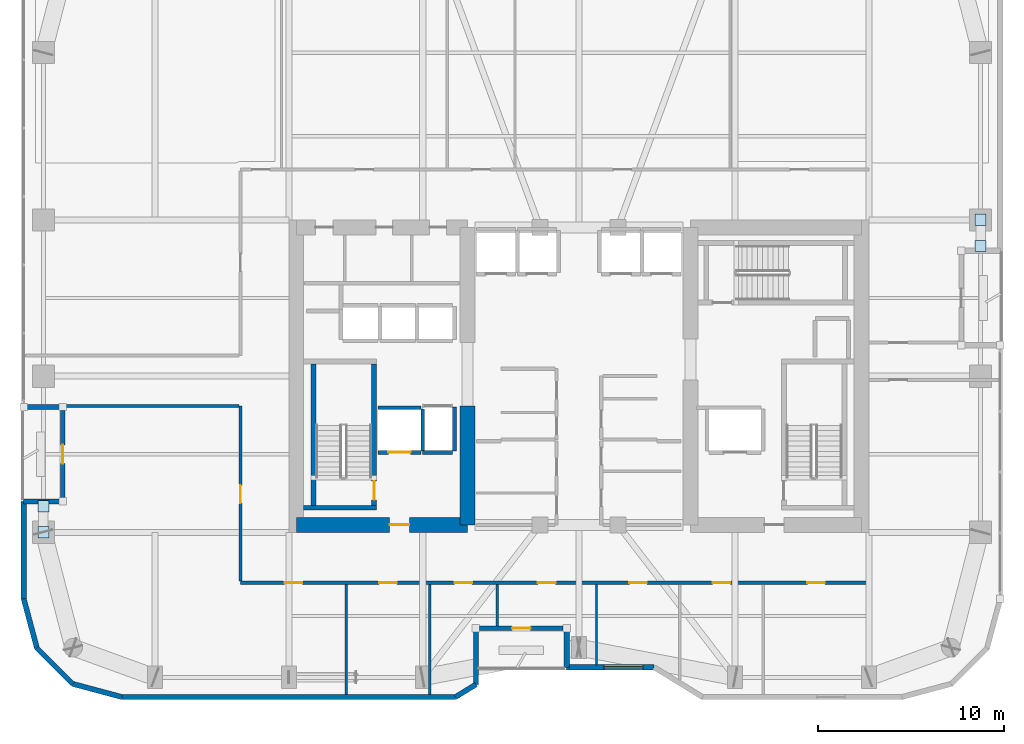
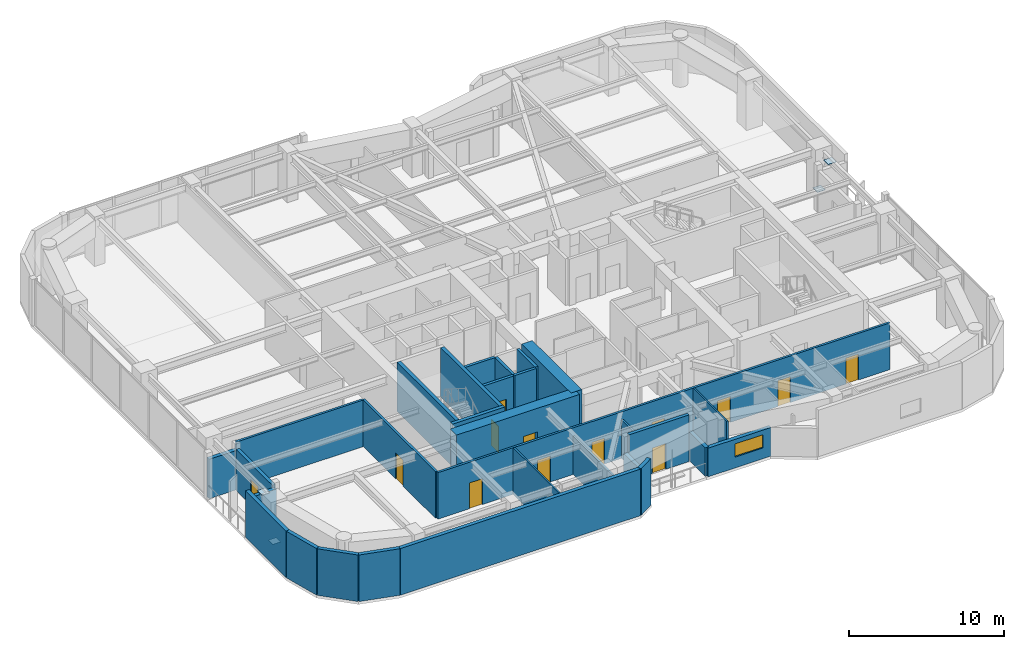
# One storey, part 24 of 30: 30 walls, 13 doors, 4 plates, 1 window, 14 openings.
"""IFC4 building model written with IfcOpenShell, lengths in metres."""

from ifc_helpers import new_model, si_unit, direction, frame, frame_2d, origin, origin_2d, place, context, subcontext, project, spatial, rectangle, extrude, material, layer, layer_set, type_object, element, fill, save


model = new_model("IFC4")

# Units and contexts
model_context = context("Model", 3, precision=1e-05, world=origin(), true_north=direction((0.0, 1.0)))
body_context = subcontext(model_context, "Body", "Model", "MODEL_VIEW")
ifc_project = project(units=[si_unit("LENGTHUNIT", "METRE"), si_unit("AREAUNIT", "SQUARE_METRE"), si_unit("VOLUMEUNIT", "CUBIC_METRE"), si_unit("PLANEANGLEUNIT", "RADIAN"), si_unit("MASSUNIT", "GRAM", prefix="KILO")], contexts=[model_context])

# Site, building, storey
site_placement = place(None, origin())
site = spatial("IfcSite", under=ifc_project, at=site_placement, CompositionType="ELEMENT")
building_placement = place(site_placement, origin())
building = spatial("IfcBuilding", under=site, at=building_placement, Name="Kiyonajd Concourse Tower", CompositionType="ELEMENT")
storey_placement = place(building_placement, frame((0.0, 0.0, 170.10009765625)))
storey = spatial("IfcBuildingStorey", under=building, at=storey_placement, Name="L43", CompositionType="ELEMENT", Elevation=170.10009765625)

# Plates
ifc_material_1 = material(Name="Steel ASTM A572 Grade 50", Category="steel")
ifc_layer_1 = layer(ifc_material_1, 0.028076171875)
ifc_layer_set_1 = layer_set([ifc_layer_1], Name="Steel ASTM A572 Grade 50")
plate_type = type_object("IfcPlateType", Name="PL-CAP-450", PredefinedType="USERDEFINED", material=ifc_layer_set_1)
for number, where, z_axis, x_axis, name in (
    (1, (19.199951171875, 27.595458984375, 0.27587890625), (0.0, 0.0, 1.0), (1.0, 0.0, 0.0), "L43 Hollow Brace End Cap Plate PBW"),
    (2, (19.199951171875, 29.004638671875, 3.32568359375), (0.0, 0.0, 1.0), (1.0, 0.0, 0.0), "L43 Hollow Brace Top Cap Plate PBW"),
    (3, (69.60009765625, 44.404541015625, 0.27587890625), (0.0, 0.0, 1.0), (1.0, 0.0, 0.0), "L43 Hollow Brace End Cap Plate PBE"),
    (4, (69.60009765625, 42.995361328125, 3.32568359375), (0.0, 0.0, 1.0), (1.0, 0.0, 0.0), "L43 Hollow Brace Top Cap Plate PBE"),
):
    element("IfcPlate", number, at=place(storey_placement, frame(where, z_axis=z_axis, x_axis=x_axis)), inside=storey, type_object=plate_type, Name=name, ObjectType="CAP PLATE", PredefinedType="USERDEFINED", context=body_context, shape_type="SweptSolid", body=[
        extrude(rectangle(XDim=0.60791015625, YDim=0.60791015625, at=origin_2d()), origin(), (0.0, 0.0, 1.0), 0.028076171875),
    ])

# Wall
ifc_material_2 = material(Name="Concrete C70/85", Category="concrete")
ifc_layer_2 = layer(ifc_material_2, 0.800048828125)
ifc_layer_set_2 = layer_set([ifc_layer_2], Name="Concrete C70/85")
wall_type_1 = type_object("IfcWallType", Name="WL-CORE-800", PredefinedType="SHEAR", material=ifc_layer_set_2)
wall_1_placement = place(storey_placement, frame((42.0, 28.0, 0.0), z_axis=(0.0, 0.0, 1.0), x_axis=(0.0, 1.0, 0.0)))
element("IfcWall", 5, at=wall_1_placement, inside=storey, type_object=wall_type_1, Name="L43 West Core Inner South Shear Wall", PredefinedType="SHEAR", context=body_context, shape_type="SweptSolid", body=[
    extrude(rectangle(XDim=6.39990234375, YDim=0.800048828125, at=frame_2d((3.199951171875, 0.0))), origin(), (0.0, 0.0, 1.0), 3.89990234375),
])

# Wall, opening, door
wall_2_placement = place(storey_placement, frame((32.800048828125, 28.0, 0.0), z_axis=(0.0, 0.0, 1.0), x_axis=(1.0, 0.0, 0.0)))
wall_2 = element("IfcWall", 6, at=wall_2_placement, inside=storey, type_object=wall_type_1, Name="L43 West Core South Shear Wall", PredefinedType="SHEAR", context=body_context, shape_type="SweptSolid", body=[
    extrude(rectangle(XDim=9.199951171875, YDim=0.800048828125, at=frame_2d((4.60009765625, 0.0))), origin(), (0.0, 0.0, 1.0), 3.89990234375),
])
opening_1_placement = place(wall_2_placement, frame((5.02490234375, 0.0, 0.0)))
opening_1 = element("IfcOpeningElement", 7, at=opening_1_placement, cuts=wall_2, Name="Opening DF5", PredefinedType="OPENING", context=body_context, shape_type="SweptSolid", body=[
    extrude(rectangle(XDim=1.050048828125, YDim=2.0400390625, at=frame_2d((0.52490234375, 1.02001953125))), frame((0.0, 0.409912109375, 0.0), z_axis=(0.0, -1.0, 0.0), x_axis=(1.0, 0.0, 0.0)), (0.0, 0.0, 1.0), 0.820068359375),
])
ifc_material_3 = material(Name="Brushed Stainless Steel Cab Assembly", Category="steel")
door_type_1 = type_object("IfcDoorType", Name="DR-FD45-1050", OperationType="NOTDEFINED", PredefinedType="DOOR", material=ifc_material_3)
door_1_placement = place(opening_1_placement, origin())
door_1 = element("IfcDoor", 8, at=door_1_placement, inside=storey, type_object=door_type_1, Name="L43 Firefighting Lift Lobby W Smoke Door", OperationType="SINGLE_SWING_LEFT", OverallHeight=2.0400390625, OverallWidth=1.050048828125, PredefinedType="DOOR", context=body_context, shape_type="SweptSolid", body=[
    extrude(rectangle(XDim=1.050048828125, YDim=2.0400390625, at=frame_2d((0.52490234375, 1.02001953125))), frame((0.0, 0.02490234375, 0.0), z_axis=(0.0, -1.0, 0.0), x_axis=(1.0, 0.0, 0.0)), (0.0, 0.0, 1.0), 0.050048828125),
])
fill(opening_1, door_1)

# Walls
ifc_material_4 = material(Name="Precast concrete C50/60", Category="concrete")
ifc_layer_3 = layer(ifc_material_4, 0.280029296875)
ifc_layer_set_3 = layer_set([ifc_layer_3], Name="Precast concrete C50/60")
wall_type_2 = type_object("IfcWallType", Name="WL-EXT-280", PredefinedType="SOLIDWALL", material=ifc_layer_set_3)
wall_3_placement = place(storey_placement, frame((18.848388671875, 21.37255859375, 0.0), z_axis=(0.0, 0.0, 1.0), x_axis=(-0.258672222976, 0.9659651552, 0.0)))
element("IfcWall", 9, at=wall_3_placement, inside=storey, type_object=wall_type_2, Name="L43 Exterior Concrete Frame Wall 00", PredefinedType="SOLIDWALL", context=body_context, shape_type="SweptSolid", body=[
    extrude(rectangle(XDim=2.739013671875, YDim=0.280029296875, at=frame_2d((1.36962890625, 0.0))), origin(), (0.0, 0.0, 1.0), 3.679931640625),
])
wall_4_placement = place(storey_placement, frame((18.139892578125, 24.018310546875, 0.0), z_axis=(0.0, 0.0, 1.0), x_axis=(0.0, 1.0, 0.0)))
element("IfcWall", 10, at=wall_4_placement, inside=storey, type_object=wall_type_2, Name="L43 Exterior Concrete Frame Wall 01", PredefinedType="SOLIDWALL", context=body_context, shape_type="SweptSolid", body=[
    extrude(rectangle(XDim=5.24169921875, YDim=0.280029296875, at=frame_2d((2.620849609375, 0.0))), origin(), (0.0, 0.0, 1.0), 3.679931640625),
])
for number, where, z_axis, x_axis, name in (
    (11, (18.139892578125, 29.260009765625, 0.0), (0.0, 0.0, 1.0), (1.0, 0.0, 0.0), "L43 Exterior Concrete Frame Wall 02"),
    (12, (20.239990234375, 34.340087890625, 0.0), (0.0, 0.0, 1.0), (-1.0, 0.0, 0.0), "L43 Exterior Concrete Frame Wall 04"),
):
    element("IfcWall", number, at=place(storey_placement, frame(where, z_axis=z_axis, x_axis=x_axis)), inside=storey, type_object=wall_type_2, Name=name, PredefinedType="SOLIDWALL", context=body_context, shape_type="SweptSolid", body=[
        extrude(rectangle(XDim=2.10009765625, YDim=0.280029296875, at=frame_2d((1.050048828125, 0.0))), origin(), (0.0, 0.0, 1.0), 3.115966796875),
    ])

# Wall, opening, window
wall_5_placement = place(storey_placement, frame((52.03955078125, 20.340087890625, 0.0), z_axis=(0.0, 0.0, 1.0), x_axis=(-1.0, 0.0, 0.0)))
wall_5 = element("IfcWall", 13, at=wall_5_placement, inside=storey, type_object=wall_type_2, Name="L43 Exterior Concrete Frame Wall 30", PredefinedType="SOLIDWALL", context=body_context, shape_type="SweptSolid", body=[
    extrude(rectangle(XDim=4.699462890625, YDim=0.280029296875, at=frame_2d((2.349609375, 0.0))), origin(), (0.0, 0.0, 1.0), 2.264892578125),
])
opening_2_placement = place(wall_5_placement, frame((0.594970703125, 0.0, 0.85009765625)))
opening_2 = element("IfcOpeningElement", 14, at=opening_2_placement, cuts=wall_5, Name="Opening WN5", PredefinedType="OPENING", context=body_context, shape_type="SweptSolid", body=[
    extrude(rectangle(XDim=2.10009765625, YDim=1.050048828125, at=frame_2d((1.050048828125, 0.52490234375))), frame((0.0, 0.14990234375, 0.0), z_axis=(0.0, -1.0, 0.0), x_axis=(1.0, 0.0, 0.0)), (0.0, 0.0, 1.0), 0.300048828125),
])
ifc_material_5 = material(Name="Double Low-E Insulated Glass", Category="glass")
window_type = type_object("IfcWindowType", Name="WN-VIS-2100x1050", PartitioningType="SINGLE_PANEL", PredefinedType="WINDOW", material=ifc_material_5)
window_placement = place(opening_2_placement, origin())
window = element("IfcWindow", 15, at=window_placement, inside=storey, type_object=window_type, Name="L43 Modular Facade Vision Window 30", OverallHeight=1.050048828125, OverallWidth=2.10009765625, PartitioningType="SINGLE_PANEL", PredefinedType="WINDOW", context=body_context, shape_type="SweptSolid", body=[
    extrude(rectangle(XDim=2.10009765625, YDim=1.050048828125, at=frame_2d((1.050048828125, 0.52490234375))), frame((0.0, 0.030029296875, 0.0), z_axis=(0.0, -1.0, 0.0), x_axis=(1.0, 0.0, 0.0)), (0.0, 0.0, 1.0), 0.06005859375),
])
fill(opening_2, window)

# Walls
wall_6_placement = place(storey_placement, frame((47.340087890625, 20.340087890625, 0.0), z_axis=(0.0, 0.0, 1.0), x_axis=(0.0, 1.0, 0.0)))
element("IfcWall", 16, at=wall_6_placement, inside=storey, type_object=wall_type_2, Name="L43 Exterior Concrete Frame Wall 31", PredefinedType="SOLIDWALL", context=body_context, shape_type="SweptSolid", body=[
    extrude(rectangle(XDim=2.099853515625, YDim=0.280029296875, at=frame_2d((1.0498046875, 0.0))), origin(), (0.0, 0.0, 1.0), 2.264892578125),
])
wall_7_placement = place(storey_placement, frame((42.4599609375, 22.43994140625, 0.0), z_axis=(0.0, 0.0, 1.0), x_axis=(0.0, -1.0, 0.0)))
element("IfcWall", 17, at=wall_7_placement, inside=storey, type_object=wall_type_2, Name="L43 Exterior Concrete Frame Wall 33", PredefinedType="SOLIDWALL", context=body_context, shape_type="SweptSolid", body=[
    extrude(rectangle(XDim=3.023681640625, YDim=0.280029296875, at=frame_2d((1.51171875, 0.0))), origin(), (0.0, 0.0, 1.0), 2.264892578125),
])
wall_8_placement = place(storey_placement, frame((42.4599609375, 19.416259765625, 0.0), z_axis=(0.0, 0.0, 1.0), x_axis=(-0.851801140441, -0.523865266212, 0.0)))
element("IfcWall", 18, at=wall_8_placement, inside=storey, type_object=wall_type_2, Name="L43 Exterior Concrete Frame Wall 34", PredefinedType="SOLIDWALL", context=body_context, shape_type="SweptSolid", body=[
    extrude(rectangle(XDim=1.291015625, YDim=0.280029296875, at=frame_2d((0.6455078125, 0.0))), origin(), (0.0, 0.0, 1.0), 3.679931640625),
])
wall_9_placement = place(storey_placement, frame((41.3603515625, 18.739990234375, 0.0), z_axis=(0.0, 0.0, 1.0), x_axis=(-1.0, 0.0, 0.0)))
element("IfcWall", 19, at=wall_9_placement, inside=storey, type_object=wall_type_2, Name="L43 Exterior Concrete Frame Wall 35", PredefinedType="SOLIDWALL", context=body_context, shape_type="SweptSolid", body=[
    extrude(rectangle(XDim=17.94189453125, YDim=0.280029296875, at=frame_2d((8.970947265625, 0.0))), origin(), (0.0, 0.0, 1.0), 3.679931640625),
])
wall_10_placement = place(storey_placement, frame((23.41845703125, 18.739990234375, 0.0), z_axis=(0.0, 0.0, 1.0), x_axis=(-0.965971118627, 0.258649952598, 0.0)))
element("IfcWall", 20, at=wall_10_placement, inside=storey, type_object=wall_type_2, Name="L43 Exterior Concrete Frame Wall 36", PredefinedType="SOLIDWALL", context=body_context, shape_type="SweptSolid", body=[
    extrude(rectangle(XDim=2.7392578125, YDim=0.280029296875, at=frame_2d((1.36962890625, 0.0))), origin(), (0.0, 0.0, 1.0), 3.679931640625),
])
wall_11_placement = place(storey_placement, frame((20.7724609375, 19.448486328125, 0.0), z_axis=(0.0, 0.0, 1.0), x_axis=(-0.707106781187, 0.707106781187, 0.0)))
element("IfcWall", 21, at=wall_11_placement, inside=storey, type_object=wall_type_2, Name="L43 Exterior Concrete Frame Wall 37", PredefinedType="SOLIDWALL", context=body_context, shape_type="SweptSolid", body=[
    extrude(rectangle(XDim=2.720947265625, YDim=0.280029296875, at=frame_2d((1.3603515625, 0.0))), origin(), (0.0, 0.0, 1.0), 3.679931640625),
])

# Wall, opening, door
ifc_layer_4 = layer(ifc_material_4, 0.239990234375)
ifc_layer_set_4 = layer_set([ifc_layer_4], Name="Precast concrete C50/60")
wall_type_3 = type_object("IfcWallType", Name="WL-LOG-240", PredefinedType="SOLIDWALL", material=ifc_layer_set_4)
wall_12_placement = place(storey_placement, frame((20.239990234375, 29.455078125, 0.0), z_axis=(0.0, 0.0, 1.0), x_axis=(0.0, 1.0, 0.0)))
wall_12 = element("IfcWall", 22, at=wall_12_placement, inside=storey, type_object=wall_type_3, Name="L43 Recessed Loggia Thermal Wall LOG-W", PredefinedType="SOLIDWALL", context=body_context, shape_type="SweptSolid", body=[
    extrude(rectangle(XDim=4.68994140625, YDim=0.239990234375, at=frame_2d((2.344970703125, 0.0))), origin(), (0.0, 0.0, 1.0), 3.247802734375),
])
opening_3_placement = place(wall_12_placement, frame((1.844970703125, 0.0, 0.0)))
opening_3 = element("IfcOpeningElement", 23, at=opening_3_placement, cuts=wall_12, Name="Opening DL1", PredefinedType="OPENING", context=body_context, shape_type="SweptSolid", body=[
    extrude(rectangle(XDim=1.0, YDim=2.02001953125, at=frame_2d((0.5, 1.010009765625))), frame((0.0, 0.1298828125, 0.0), z_axis=(0.0, -1.0, 0.0), x_axis=(1.0, 0.0, 0.0)), (0.0, 0.0, 1.0), 0.260009765625),
])
ifc_material_6 = material(Name="Thermally Broken Anodised Aluminium", Category="aluminium")
door_type_2 = type_object("IfcDoorType", Name="DR-LOG-1000", OperationType="NOTDEFINED", PredefinedType="DOOR", material=ifc_material_6)
door_2_placement = place(opening_3_placement, origin())
door_2 = element("IfcDoor", 24, at=door_2_placement, inside=storey, type_object=door_type_2, Name="L43 Engawa Loggia Access Door LOG-W", OperationType="SINGLE_SWING_LEFT", OverallHeight=2.02001953125, OverallWidth=1.0, PredefinedType="DOOR", context=body_context, shape_type="SweptSolid", body=[
    extrude(rectangle(XDim=1.0, YDim=2.02001953125, at=frame_2d((0.5, 1.010009765625))), frame((0.0, 0.02490234375, 0.0), z_axis=(0.0, -1.0, 0.0), x_axis=(1.0, 0.0, 0.0)), (0.0, 0.0, 1.0), 0.050048828125),
])
fill(opening_3, door_2)

wall_13_placement = place(storey_placement, frame((47.14501953125, 22.43994140625, 0.0), z_axis=(0.0, 0.0, 1.0), x_axis=(-1.0, 0.0, 0.0)))
wall_13 = element("IfcWall", 25, at=wall_13_placement, inside=storey, type_object=wall_type_3, Name="L43 Recessed Loggia Thermal Wall LOG-S", PredefinedType="SOLIDWALL", context=body_context, shape_type="SweptSolid", body=[
    extrude(rectangle(XDim=4.489990234375, YDim=0.239990234375, at=frame_2d((2.2451171875, 0.0))), origin(), (0.0, 0.0, 1.0), 3.679931640625),
])
opening_4_placement = place(wall_13_placement, frame((1.7451171875, 0.0, 0.0)))
opening_4 = element("IfcOpeningElement", 26, at=opening_4_placement, cuts=wall_13, Name="Opening DL1", PredefinedType="OPENING", context=body_context, shape_type="SweptSolid", body=[
    extrude(rectangle(XDim=1.0, YDim=2.02001953125, at=frame_2d((0.5, 1.010009765625))), frame((0.0, 0.1298828125, 0.0), z_axis=(0.0, -1.0, 0.0), x_axis=(1.0, 0.0, 0.0)), (0.0, 0.0, 1.0), 0.260009765625),
])
door_3_placement = place(opening_4_placement, origin())
door_3 = element("IfcDoor", 27, at=door_3_placement, inside=storey, type_object=door_type_2, Name="L43 Engawa Loggia Access Door LOG-S", OperationType="SINGLE_SWING_RIGHT", OverallHeight=2.02001953125, OverallWidth=1.0, PredefinedType="DOOR", context=body_context, shape_type="SweptSolid", body=[
    extrude(rectangle(XDim=1.0, YDim=2.02001953125, at=frame_2d((0.5, 1.010009765625))), frame((0.0, 0.02490234375, 0.0), z_axis=(0.0, -1.0, 0.0), x_axis=(1.0, 0.0, 0.0)), (0.0, 0.0, 1.0), 0.050048828125),
])
fill(opening_4, door_3)

# Walls
ifc_material_7 = material(Name="Gypsum Board on Cold-Formed Steel Stud", Category="steel")
ifc_layer_5 = layer(ifc_material_7, 0.125)
ifc_layer_set_5 = layer_set([ifc_layer_5], Name="Gypsum Board on Cold-Formed Steel Stud")
wall_type_4 = type_object("IfcWallType", Name="WL-PART-125", PredefinedType="PARTITIONING", material=ifc_layer_set_5)
wall_14_placement = place(storey_placement, frame((35.489990234375, 18.875, 0.0), z_axis=(0.0, 0.0, 1.0), x_axis=(0.0, 1.0, 0.0)))
element("IfcWall", 28, at=wall_14_placement, inside=storey, type_object=wall_type_4, Name="L43 Interior Partition Wall", PredefinedType="PARTITIONING", context=body_context, shape_type="SweptSolid", body=[
    extrude(rectangle(XDim=5.927978515625, YDim=0.125, at=frame_2d((2.9638671875, 0.0))), origin(), (0.0, 0.0, 1.0), 3.679931640625),
])
wall_15_placement = place(storey_placement, frame((39.969970703125, 18.875, 0.0), z_axis=(0.0, 0.0, 1.0), x_axis=(0.0, 1.0, 0.0)))
element("IfcWall", 29, at=wall_15_placement, inside=storey, type_object=wall_type_4, Name="L43 Interior Partition Wall", PredefinedType="PARTITIONING", context=body_context, shape_type="SweptSolid", body=[
    extrude(rectangle(XDim=5.927978515625, YDim=0.125, at=frame_2d((2.9638671875, 0.0))), origin(), (0.0, 0.0, 1.0), 3.04296875),
])
wall_16_placement = place(storey_placement, frame((43.60009765625, 22.554931640625, 0.0), z_axis=(0.0, 0.0, 1.0), x_axis=(0.0, 1.0, 0.0)))
element("IfcWall", 30, at=wall_16_placement, inside=storey, type_object=wall_type_4, Name="L43 Interior Partition Wall", PredefinedType="PARTITIONING", context=body_context, shape_type="SweptSolid", body=[
    extrude(rectangle(XDim=2.248046875, YDim=0.125, at=frame_2d((1.1240234375, 0.0))), origin(), (0.0, 0.0, 1.0), 3.04296875),
])
wall_17_placement = place(storey_placement, frame((48.93994140625, 20.47509765625, 0.0), z_axis=(0.0, 0.0, 1.0), x_axis=(0.0, 1.0, 0.0)))
element("IfcWall", 31, at=wall_17_placement, inside=storey, type_object=wall_type_4, Name="L43 Interior Partition Wall", PredefinedType="PARTITIONING", context=body_context, shape_type="SweptSolid", body=[
    extrude(rectangle(XDim=4.327880859375, YDim=0.125, at=frame_2d((2.1640625, 0.0))), origin(), (0.0, 0.0, 1.0), 3.679931640625),
])

# Wall, opening, door
ifc_layer_6 = layer(ifc_material_7, 0.2099609375)
ifc_layer_set_6 = layer_set([ifc_layer_6], Name="Gypsum Board on Cold-Formed Steel Stud")
wall_type_5 = type_object("IfcWallType", Name="WL-SHAFT-210", PredefinedType="PARTITIONING", material=ifc_layer_set_6)
wall_18_placement = place(storey_placement, frame((37.199951171875, 31.89990234375, 0.0), z_axis=(0.0, 0.0, 1.0), x_axis=(1.0, 0.0, 0.0)))
wall_18 = element("IfcWall", 32, at=wall_18_placement, inside=storey, type_object=wall_type_5, Name="L43 Shaft Enclosure Wall", PredefinedType="PARTITIONING", context=body_context, shape_type="SweptSolid", body=[
    extrude(rectangle(XDim=2.300048828125, YDim=0.2099609375, at=frame_2d((1.14990234375, 0.0))), origin(), (0.0, 0.0, 1.0), 3.679931640625),
])
opening_5_placement = place(wall_18_placement, frame((0.550048828125, 0.0, 0.0)))
opening_5 = element("IfcOpeningElement", 33, at=opening_5_placement, cuts=wall_18, Name="Opening LD2", PredefinedType="OPENING", context=body_context, shape_type="SweptSolid", body=[
    extrude(rectangle(XDim=1.199951171875, YDim=2.0400390625, at=frame_2d((0.60009765625, 1.02001953125))), frame((0.0, 0.114990234375, 0.0), z_axis=(0.0, -1.0, 0.0), x_axis=(1.0, 0.0, 0.0)), (0.0, 0.0, 1.0), 0.22998046875),
])
door_type_3 = type_object("IfcDoorType", Name="DR-LD-1200", OperationType="DOUBLE_DOOR_SLIDING", PredefinedType="DOOR", material=ifc_material_3)
door_4_placement = place(opening_5_placement, origin())
door_4 = element("IfcDoor", 34, at=door_4_placement, inside=storey, type_object=door_type_3, Name="L43 Lift FFL1 Sliding Landing Door", OperationType="DOUBLE_DOOR_SLIDING", OverallHeight=2.0400390625, OverallWidth=1.199951171875, PredefinedType="DOOR", context=body_context, shape_type="SweptSolid", body=[
    extrude(rectangle(XDim=1.199951171875, YDim=2.0400390625, at=frame_2d((0.60009765625, 1.02001953125))), frame((0.0, 0.02490234375, 0.0), z_axis=(0.0, -1.0, 0.0), x_axis=(1.0, 0.0, 0.0)), (0.0, 0.0, 1.0), 0.050048828125),
])
fill(opening_5, door_4)

# Walls
wall_19_placement = place(storey_placement, frame((37.199951171875, 34.300048828125, 0.0), z_axis=(0.0, 0.0, 1.0), x_axis=(1.0, 0.0, 0.0)))
element("IfcWall", 35, at=wall_19_placement, inside=storey, type_object=wall_type_5, Name="L43 Shaft Enclosure Wall", PredefinedType="PARTITIONING", context=body_context, shape_type="SweptSolid", body=[
    extrude(rectangle(XDim=2.300048828125, YDim=0.2099609375, at=frame_2d((1.14990234375, 0.0))), origin(), (0.0, 0.0, 1.0), 3.679931640625),
])
wall_20_placement = place(storey_placement, frame((39.60009765625, 31.9599609375, 0.0), z_axis=(0.0, 0.0, 1.0), x_axis=(0.0, 1.0, 0.0)))
element("IfcWall", 36, at=wall_20_placement, inside=storey, type_object=wall_type_5, Name="L43 Shaft Enclosure Wall", PredefinedType="PARTITIONING", context=body_context, shape_type="SweptSolid", body=[
    extrude(rectangle(XDim=2.280029296875, YDim=0.2099609375, at=frame_2d((1.14013671875, 0.0))), origin(), (0.0, 0.0, 1.0), 3.679931640625),
])
wall_21_placement = place(storey_placement, frame((39.60009765625, 31.89990234375, 0.0), z_axis=(0.0, 0.0, 1.0), x_axis=(1.0, 0.0, 0.0)))
element("IfcWall", 37, at=wall_21_placement, inside=storey, type_object=wall_type_5, Name="L43 Shaft Enclosure Wall", PredefinedType="PARTITIONING", context=body_context, shape_type="SweptSolid", body=[
    extrude(rectangle(XDim=1.599853515625, YDim=0.2099609375, at=frame_2d((0.7998046875, 0.0))), origin(), (0.0, 0.0, 1.0), 3.679931640625),
])
wall_22_placement = place(storey_placement, frame((41.300048828125, 31.9599609375, 0.0), z_axis=(0.0, 0.0, 1.0), x_axis=(0.0, 1.0, 0.0)))
element("IfcWall", 38, at=wall_22_placement, inside=storey, type_object=wall_type_5, Name="L43 Shaft Enclosure Wall", PredefinedType="PARTITIONING", context=body_context, shape_type="SweptSolid", body=[
    extrude(rectangle(XDim=2.380126953125, YDim=0.2099609375, at=frame_2d((1.18994140625, 0.0))), origin(), (0.0, 0.0, 1.0), 3.679931640625),
])

# Wall, openings, doors
ifc_layer_7 = layer(ifc_material_7, 0.169921875)
ifc_layer_set_7 = layer_set([ifc_layer_7], Name="Gypsum Board on Cold-Formed Steel Stud")
wall_type_6 = type_object("IfcWallType", Name="WL-SMK-170", PredefinedType="PARTITIONING", material=ifc_layer_set_7)
wall_23_placement = place(storey_placement, frame((29.800048828125, 24.889892578125, 0.0), z_axis=(0.0, 0.0, 1.0), x_axis=(1.0, 0.0, 0.0)))
wall_23 = element("IfcWall", 39, at=wall_23_placement, inside=storey, type_object=wall_type_6, Name="L43 Interior Partition Wall", PredefinedType="PARTITIONING", context=body_context, shape_type="SweptSolid", body=[
    extrude(rectangle(XDim=33.800048828125, YDim=0.169921875, at=frame_2d((16.89990234375, 0.0))), origin(), (0.0, 0.0, 1.0), 3.679931640625),
])
opening_6_placement = place(wall_23_placement, frame((2.3701171875, 0.0, 0.0)))
opening_6 = element("IfcOpeningElement", 40, at=opening_6_placement, cuts=wall_23, Name="Opening DI1", PredefinedType="OPENING", context=body_context, shape_type="SweptSolid", body=[
    extrude(rectangle(XDim=0.949951171875, YDim=2.0400390625, at=frame_2d((0.47509765625, 1.02001953125))), frame((0.0, 0.094970703125, 0.0), z_axis=(0.0, -1.0, 0.0), x_axis=(1.0, 0.0, 0.0)), (0.0, 0.0, 1.0), 0.18994140625),
])
opening_7_placement = place(wall_23_placement, frame((7.455078125, 0.0, 0.0)))
opening_7 = element("IfcOpeningElement", 41, at=opening_7_placement, cuts=wall_23, Name="Opening DI1", PredefinedType="OPENING", context=body_context, shape_type="SweptSolid", body=[
    extrude(rectangle(XDim=0.949951171875, YDim=2.0400390625, at=frame_2d((0.47509765625, 1.02001953125))), frame((0.0, 0.094970703125, 0.0), z_axis=(0.0, -1.0, 0.0), x_axis=(1.0, 0.0, 0.0)), (0.0, 0.0, 1.0), 0.18994140625),
])
opening_8_placement = place(wall_23_placement, frame((11.510009765625, 0.0, 0.0)))
opening_8 = element("IfcOpeningElement", 42, at=opening_8_placement, cuts=wall_23, Name="Opening DI1", PredefinedType="OPENING", context=body_context, shape_type="SweptSolid", body=[
    extrude(rectangle(XDim=0.949951171875, YDim=2.0400390625, at=frame_2d((0.47509765625, 1.02001953125))), frame((0.0, 0.094970703125, 0.0), z_axis=(0.0, -1.0, 0.0), x_axis=(1.0, 0.0, 0.0)), (0.0, 0.0, 1.0), 0.18994140625),
])
opening_9_placement = place(wall_23_placement, frame((15.9951171875, 0.0, 0.0)))
opening_9 = element("IfcOpeningElement", 43, at=opening_9_placement, cuts=wall_23, Name="Opening DI1", PredefinedType="OPENING", context=body_context, shape_type="SweptSolid", body=[
    extrude(rectangle(XDim=0.949951171875, YDim=2.0400390625, at=frame_2d((0.47509765625, 1.02001953125))), frame((0.0, 0.094970703125, 0.0), z_axis=(0.0, -1.0, 0.0), x_axis=(1.0, 0.0, 0.0)), (0.0, 0.0, 1.0), 0.18994140625),
])
opening_10_placement = place(wall_23_placement, frame((20.909912109375, 0.0, 0.0)))
opening_10 = element("IfcOpeningElement", 44, at=opening_10_placement, cuts=wall_23, Name="Opening DI1", PredefinedType="OPENING", context=body_context, shape_type="SweptSolid", body=[
    extrude(rectangle(XDim=0.949951171875, YDim=2.0400390625, at=frame_2d((0.47509765625, 1.02001953125))), frame((0.0, 0.094970703125, 0.0), z_axis=(0.0, -1.0, 0.0), x_axis=(1.0, 0.0, 0.0)), (0.0, 0.0, 1.0), 0.18994140625),
])
opening_11_placement = place(wall_23_placement, frame((25.39501953125, 0.0, 0.0)))
opening_11 = element("IfcOpeningElement", 45, at=opening_11_placement, cuts=wall_23, Name="Opening DI1", PredefinedType="OPENING", context=body_context, shape_type="SweptSolid", body=[
    extrude(rectangle(XDim=0.949951171875, YDim=2.0400390625, at=frame_2d((0.47509765625, 1.02001953125))), frame((0.0, 0.094970703125, 0.0), z_axis=(0.0, -1.0, 0.0), x_axis=(1.0, 0.0, 0.0)), (0.0, 0.0, 1.0), 0.18994140625),
])
opening_12_placement = place(wall_23_placement, frame((30.47998046875, 0.0, 0.0)))
opening_12 = element("IfcOpeningElement", 46, at=opening_12_placement, cuts=wall_23, Name="Opening DI1", PredefinedType="OPENING", context=body_context, shape_type="SweptSolid", body=[
    extrude(rectangle(XDim=0.949951171875, YDim=2.0400390625, at=frame_2d((0.47509765625, 1.02001953125))), frame((0.0, 0.094970703125, 0.0), z_axis=(0.0, -1.0, 0.0), x_axis=(1.0, 0.0, 0.0)), (0.0, 0.0, 1.0), 0.18994140625),
])
ifc_material_8 = material(Name="Natural Oak Acoustic Timber Veneer", Category="wood")
door_type_4 = type_object("IfcDoorType", Name="DR-INT-950", OperationType="NOTDEFINED", PredefinedType="DOOR", material=ifc_material_8)
door_5_placement = place(opening_6_placement, origin())
door_5 = element("IfcDoor", 47, at=door_5_placement, inside=storey, type_object=door_type_4, Name="L43 Interior Door", OperationType="SINGLE_SWING_RIGHT", OverallHeight=2.0400390625, OverallWidth=0.949951171875, PredefinedType="DOOR", context=body_context, shape_type="SweptSolid", body=[
    extrude(rectangle(XDim=0.949951171875, YDim=2.0400390625, at=frame_2d((0.47509765625, 1.02001953125))), frame((0.0, 0.02490234375, 0.0), z_axis=(0.0, -1.0, 0.0), x_axis=(1.0, 0.0, 0.0)), (0.0, 0.0, 1.0), 0.050048828125),
])
fill(opening_6, door_5)
door_6_placement = place(opening_7_placement, origin())
door_6 = element("IfcDoor", 48, at=door_6_placement, inside=storey, type_object=door_type_4, Name="L43 Interior Door", OperationType="SINGLE_SWING_LEFT", OverallHeight=2.0400390625, OverallWidth=0.949951171875, PredefinedType="DOOR", context=body_context, shape_type="SweptSolid", body=[
    extrude(rectangle(XDim=0.949951171875, YDim=2.0400390625, at=frame_2d((0.47509765625, 1.02001953125))), frame((0.0, 0.02490234375, 0.0), z_axis=(0.0, -1.0, 0.0), x_axis=(1.0, 0.0, 0.0)), (0.0, 0.0, 1.0), 0.050048828125),
])
fill(opening_7, door_6)
door_7_placement = place(opening_8_placement, origin())
door_7 = element("IfcDoor", 49, at=door_7_placement, inside=storey, type_object=door_type_4, Name="L43 Interior Door", OperationType="SINGLE_SWING_RIGHT", OverallHeight=2.0400390625, OverallWidth=0.949951171875, PredefinedType="DOOR", context=body_context, shape_type="SweptSolid", body=[
    extrude(rectangle(XDim=0.949951171875, YDim=2.0400390625, at=frame_2d((0.47509765625, 1.02001953125))), frame((0.0, 0.02490234375, 0.0), z_axis=(0.0, -1.0, 0.0), x_axis=(1.0, 0.0, 0.0)), (0.0, 0.0, 1.0), 0.050048828125),
])
fill(opening_8, door_7)
door_8_placement = place(opening_9_placement, origin())
door_8 = element("IfcDoor", 50, at=door_8_placement, inside=storey, type_object=door_type_4, Name="L43 Interior Door", OperationType="SINGLE_SWING_LEFT", OverallHeight=2.0400390625, OverallWidth=0.949951171875, PredefinedType="DOOR", context=body_context, shape_type="SweptSolid", body=[
    extrude(rectangle(XDim=0.949951171875, YDim=2.0400390625, at=frame_2d((0.47509765625, 1.02001953125))), frame((0.0, 0.02490234375, 0.0), z_axis=(0.0, -1.0, 0.0), x_axis=(1.0, 0.0, 0.0)), (0.0, 0.0, 1.0), 0.050048828125),
])
fill(opening_9, door_8)
door_9_placement = place(opening_10_placement, origin())
door_9 = element("IfcDoor", 51, at=door_9_placement, inside=storey, type_object=door_type_4, Name="L43 Interior Door", OperationType="SINGLE_SWING_RIGHT", OverallHeight=2.0400390625, OverallWidth=0.949951171875, PredefinedType="DOOR", context=body_context, shape_type="SweptSolid", body=[
    extrude(rectangle(XDim=0.949951171875, YDim=2.0400390625, at=frame_2d((0.47509765625, 1.02001953125))), frame((0.0, 0.02490234375, 0.0), z_axis=(0.0, -1.0, 0.0), x_axis=(1.0, 0.0, 0.0)), (0.0, 0.0, 1.0), 0.050048828125),
])
fill(opening_10, door_9)
door_10_placement = place(opening_11_placement, origin())
door_10 = element("IfcDoor", 52, at=door_10_placement, inside=storey, type_object=door_type_4, Name="L43 Interior Door", OperationType="SINGLE_SWING_LEFT", OverallHeight=2.0400390625, OverallWidth=0.949951171875, PredefinedType="DOOR", context=body_context, shape_type="SweptSolid", body=[
    extrude(rectangle(XDim=0.949951171875, YDim=2.0400390625, at=frame_2d((0.47509765625, 1.02001953125))), frame((0.0, 0.02490234375, 0.0), z_axis=(0.0, -1.0, 0.0), x_axis=(1.0, 0.0, 0.0)), (0.0, 0.0, 1.0), 0.050048828125),
])
fill(opening_11, door_10)
door_11_placement = place(opening_12_placement, origin())
door_11 = element("IfcDoor", 53, at=door_11_placement, inside=storey, type_object=door_type_4, Name="L43 Interior Door", OperationType="SINGLE_SWING_RIGHT", OverallHeight=2.0400390625, OverallWidth=0.949951171875, PredefinedType="DOOR", context=body_context, shape_type="SweptSolid", body=[
    extrude(rectangle(XDim=0.949951171875, YDim=2.0400390625, at=frame_2d((0.47509765625, 1.02001953125))), frame((0.0, 0.02490234375, 0.0), z_axis=(0.0, -1.0, 0.0), x_axis=(1.0, 0.0, 0.0)), (0.0, 0.0, 1.0), 0.050048828125),
])
fill(opening_12, door_11)

# Wall, opening, door
wall_24_placement = place(storey_placement, frame((29.800048828125, 24.97705078125, 0.0), z_axis=(0.0, 0.0, 1.0), x_axis=(0.0, 1.0, 0.0)))
wall_24 = element("IfcWall", 54, at=wall_24_placement, inside=storey, type_object=wall_type_6, Name="L43 Interior Partition Wall", PredefinedType="PARTITIONING", context=body_context, shape_type="SweptSolid", body=[
    extrude(rectangle(XDim=9.4228515625, YDim=0.169921875, at=frame_2d((4.71142578125, 0.0))), origin(), (0.0, 0.0, 1.0), 3.679931640625),
])
opening_13_placement = place(wall_24_placement, frame((4.193115234375, 0.0, 0.0)))
opening_13 = element("IfcOpeningElement", 55, at=opening_13_placement, cuts=wall_24, Name="Opening DI1", PredefinedType="OPENING", context=body_context, shape_type="SweptSolid", body=[
    extrude(rectangle(XDim=0.949951171875, YDim=2.0400390625, at=frame_2d((0.47509765625, 1.02001953125))), frame((0.0, 0.094970703125, 0.0), z_axis=(0.0, -1.0, 0.0), x_axis=(1.0, 0.0, 0.0)), (0.0, 0.0, 1.0), 0.18994140625),
])
door_12_placement = place(opening_13_placement, origin())
door_12 = element("IfcDoor", 56, at=door_12_placement, inside=storey, type_object=door_type_4, Name="L43 Interior Door", OperationType="SINGLE_SWING_RIGHT", OverallHeight=2.0400390625, OverallWidth=0.949951171875, PredefinedType="DOOR", context=body_context, shape_type="SweptSolid", body=[
    extrude(rectangle(XDim=0.949951171875, YDim=2.0400390625, at=frame_2d((0.47509765625, 1.02001953125))), frame((0.0, 0.02490234375, 0.0), z_axis=(0.0, -1.0, 0.0), x_axis=(1.0, 0.0, 0.0)), (0.0, 0.0, 1.0), 0.050048828125),
])
fill(opening_13, door_12)

# Walls
wall_25_placement = place(storey_placement, frame((20.239990234375, 34.39990234375, 0.0), z_axis=(0.0, 0.0, 1.0), x_axis=(1.0, 0.0, 0.0)))
element("IfcWall", 57, at=wall_25_placement, inside=storey, type_object=wall_type_6, Name="L43 Interior Partition Wall", PredefinedType="PARTITIONING", context=body_context, shape_type="SweptSolid", body=[
    extrude(rectangle(XDim=9.472900390625, YDim=0.169921875, at=frame_2d((4.736328125, 0.0))), origin(), (0.0, 0.0, 1.0), 3.679931640625),
])
ifc_material_9 = material(Name="Concrete C50/60", Category="concrete")
ifc_layer_8 = layer(ifc_material_9, 0.260009765625)
ifc_layer_set_8 = layer_set([ifc_layer_8], Name="Concrete C50/60")
wall_type_7 = type_object("IfcWallType", Name="WL-STAIR-260", PredefinedType="SHEAR", material=ifc_layer_set_8)
wall_26_placement = place(storey_placement, frame((33.199951171875, 28.919921875, 0.0), z_axis=(0.0, 0.0, 1.0), x_axis=(1.0, 0.0, 0.0)))
element("IfcWall", 58, at=wall_26_placement, inside=storey, type_object=wall_type_7, Name="L43 Stair ST1 Structural South Wall", PredefinedType="SHEAR", context=body_context, shape_type="SweptSolid", body=[
    extrude(rectangle(XDim=3.91015625, YDim=0.260009765625, at=frame_2d((1.955078125, 0.0))), origin(), (0.0, 0.0, 1.0), 3.89990234375),
])
wall_27_placement = place(storey_placement, frame((33.719970703125, 29.050048828125, 0.0), z_axis=(0.0, 0.0, 1.0), x_axis=(0.0, 1.0, 0.0)))
element("IfcWall", 59, at=wall_27_placement, inside=storey, type_object=wall_type_7, Name="L43 Stair ST1 Structural West Wall", PredefinedType="SHEAR", context=body_context, shape_type="SweptSolid", body=[
    extrude(rectangle(XDim=7.599853515625, YDim=0.260009765625, at=frame_2d((3.7998046875, 0.0))), origin(), (0.0, 0.0, 1.0), 3.89990234375),
])

# Wall, opening, door
wall_28_placement = place(storey_placement, frame((36.97998046875, 29.050048828125, 0.0), z_axis=(0.0, 0.0, 1.0), x_axis=(0.0, 1.0, 0.0)))
wall_28 = element("IfcWall", 60, at=wall_28_placement, inside=storey, type_object=wall_type_7, Name="L43 Stair ST1 Structural East Wall", PredefinedType="SHEAR", context=body_context, shape_type="SweptSolid", body=[
    extrude(rectangle(XDim=7.599853515625, YDim=0.260009765625, at=frame_2d((3.7998046875, 0.0))), origin(), (0.0, 0.0, 1.0), 3.89990234375),
])
opening_14_placement = place(wall_28_placement, frame((0.300048828125, 0.0, 0.0)))
opening_14 = element("IfcOpeningElement", 61, at=opening_14_placement, cuts=wall_28, Name="Opening DF1", PredefinedType="OPENING", context=body_context, shape_type="SweptSolid", body=[
    extrude(rectangle(XDim=1.0, YDim=2.0400390625, at=frame_2d((0.5, 1.02001953125))), frame((0.0, 0.139892578125, 0.0), z_axis=(0.0, -1.0, 0.0), x_axis=(1.0, 0.0, 0.0)), (0.0, 0.0, 1.0), 0.280029296875),
])
door_type_5 = type_object("IfcDoorType", Name="DR-FD90-1000", OperationType="NOTDEFINED", PredefinedType="DOOR", material=ifc_material_3)
door_13_placement = place(opening_14_placement, origin())
door_13 = element("IfcDoor", 62, at=door_13_placement, inside=storey, type_object=door_type_5, Name="L43 Stair ST1 FSAE Door", OperationType="SINGLE_SWING_LEFT", OverallHeight=2.0400390625, OverallWidth=1.0, PredefinedType="DOOR", context=body_context, shape_type="SweptSolid", body=[
    extrude(rectangle(XDim=1.0, YDim=2.0400390625, at=frame_2d((0.5, 1.02001953125))), frame((0.0, 0.02490234375, 0.0), z_axis=(0.0, -1.0, 0.0), x_axis=(1.0, 0.0, 0.0)), (0.0, 0.0, 1.0), 0.050048828125),
])
fill(opening_14, door_13)

save(model, "model.ifc")
